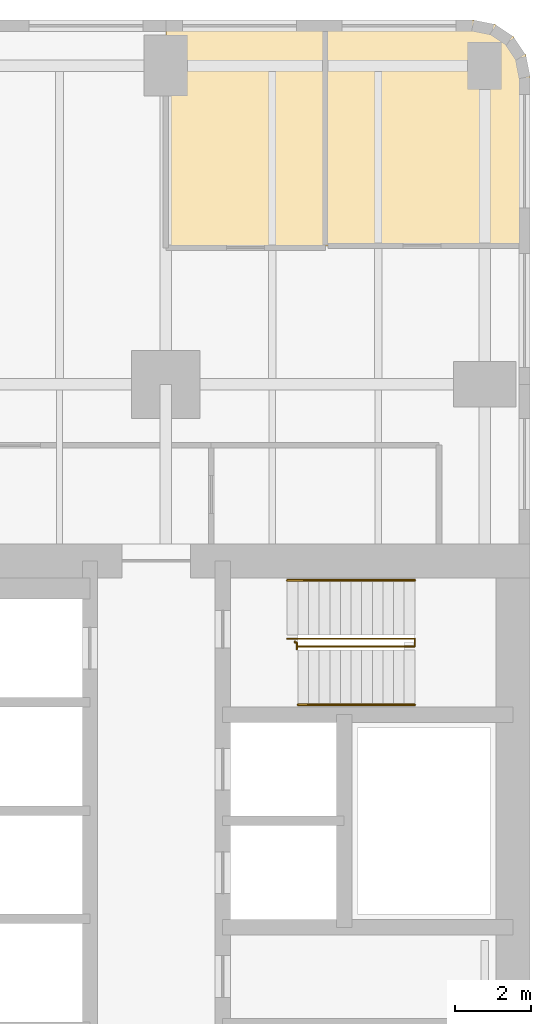
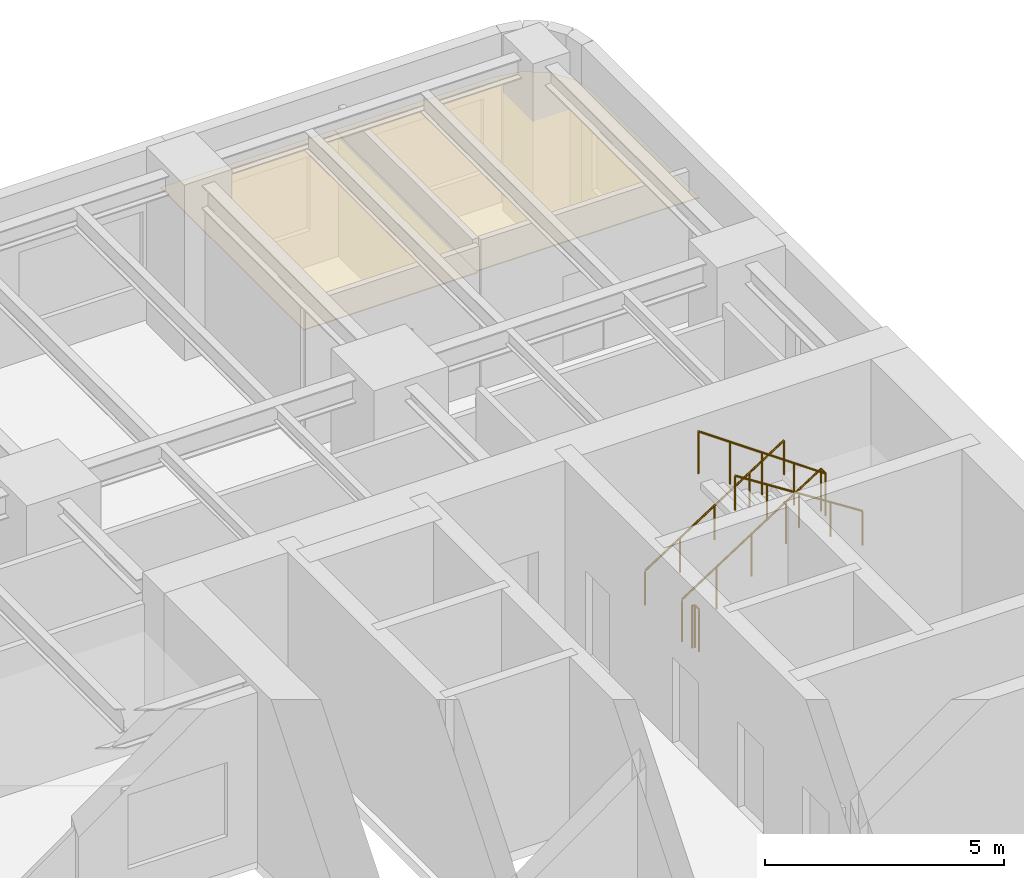
# One storey, part 12 of 12: 4 railings, 2 coverings.
"""IFC4 building model written with IfcOpenShell, lengths in metres."""

from ifc_helpers import new_model, si_unit, direction, frame, origin, origin_2d, place, context, subcontext, project, spatial, polyline, circle, outline, extrude, material, layer, layer_set, type_object, element, save


model = new_model("IFC4")

# Units and contexts
model_context = context("Model", 3, precision=1e-05, world=origin(), true_north=direction((0.0, 1.0)))
body_context = subcontext(model_context, "Body", "Model", "MODEL_VIEW")
ifc_project = project(units=[si_unit("LENGTHUNIT", "METRE"), si_unit("AREAUNIT", "SQUARE_METRE"), si_unit("VOLUMEUNIT", "CUBIC_METRE"), si_unit("PLANEANGLEUNIT", "RADIAN"), si_unit("MASSUNIT", "GRAM", prefix="KILO")], contexts=[model_context])

# Site, building, storey
site_placement = place(None, origin())
site = spatial("IfcSite", under=ifc_project, at=site_placement, CompositionType="ELEMENT")
building_placement = place(site_placement, origin())
building = spatial("IfcBuilding", under=site, at=building_placement, Name="Claustro Exchange Tower", CompositionType="ELEMENT")
storey_placement = place(building_placement, frame((0.0, 0.0, 63.89990234375)))
storey = spatial("IfcBuildingStorey", under=building, at=storey_placement, Name="L14", CompositionType="ELEMENT", Elevation=63.89990234375)

# Coverings
ifc_material_1 = material(Name="Gypsum board ceiling", Category="gypsum board")
ifc_layer = layer(ifc_material_1, 0.02490234375)
ifc_layer_set = layer_set([ifc_layer], Name="Gypsum board ceiling")
covering_type = type_object("IfcCoveringType", Name="CL2 plasterboard ceiling", PredefinedType="CEILING", material=ifc_layer_set)
covering_1_placement = place(storey_placement, frame((0.0, 0.0, 3.0)))
element("IfcCovering", 1, at=covering_1_placement, inside=storey, type_object=covering_type, Name="Ceiling CL2 L14-21", PredefinedType="CEILING", context=body_context, shape_type="SweptSolid", body=[
    extrude(outline(polyline([(46.199951171875, 51.60009765625), (42.0, 51.60009765625), (42.0, 45.60009765625), (46.199951171875, 45.60009765625), (46.199951171875, 51.60009765625)])), origin(), (0.0, 0.0, 1.0), 0.025146484375),
])
covering_2_placement = place(storey_placement, frame((0.0, 0.0, 3.0)))
element("IfcCovering", 2, at=covering_2_placement, inside=storey, type_object=covering_type, Name="Ceiling CL2 L14-22", PredefinedType="CEILING", context=body_context, shape_type="SweptSolid", body=[
    extrude(outline(polyline([(50.10009765625, 51.60009765625), (46.199951171875, 51.60009765625), (46.199951171875, 45.64990234375), (51.60009765625, 45.64990234375), (51.60009765625, 50.10009765625), (51.48583984375, 50.674072265625), (51.16064453125, 51.16064453125), (50.674072265625, 51.48583984375), (50.10009765625, 51.60009765625)])), origin(), (0.0, 0.0, 1.0), 0.025146484375),
])

# Railings
ifc_material_2 = material(Name="Steel balustrade, painted", Category="steel")
railing_type_1 = type_object("IfcRailingType", Name="GR2 1100 steel stair guard", PredefinedType="GUARDRAIL", material=ifc_material_2)
railing_1_placement = place(storey_placement, frame((45.199951171875, 35.300048828125, 0.18017578125)))
element("IfcRailing", 3, at=railing_1_placement, inside=storey, type_object=railing_type_1, Name="Stair well guard GR2 stair STEB L14", PredefinedType="GUARDRAIL", context=body_context, shape_type="SweptSolid", body=[
    extrude(circle(Radius=0.02392578125, at=origin_2d()), frame((0.0, 0.0, 1.076171875), z_axis=(0.84119634759, 0.0, 0.540729789082), x_axis=(0.0, 1.0, 0.0)), (0.0, 0.0, 1.0), 3.994384765625),
    extrude(circle(Radius=0.02392578125, at=origin_2d()), frame((3.360107421875, 0.0, 3.23583984375), z_axis=(0.0, -1.0, 0.0), x_axis=(1.0, 0.0, 0.0)), (0.0, 0.0, 1.0), 0.199951171875),
    extrude(circle(Radius=0.02392578125, at=origin_2d()), frame((3.360107421875, -0.199951171875, 3.23583984375), z_axis=(-0.8187499073, 0.0, 0.574150319426), x_axis=(0.0, -1.0, 0.0)), (0.0, 0.0, 1.0), 3.761962890625),
    extrude(circle(Radius=0.02099609375, at=origin_2d()), origin(), (0.0, 0.0, 1.0), 1.052001953125),
    extrude(circle(Radius=0.02099609375, at=origin_2d()), frame((0.840087890625, 0.0, 0.5400390625)), (0.0, 0.0, 1.0), 1.052001953125),
    extrude(circle(Radius=0.02099609375, at=origin_2d()), frame((1.68017578125, 0.0, 1.080078125)), (0.0, 0.0, 1.0), 1.052001953125),
    extrude(circle(Radius=0.02099609375, at=origin_2d()), frame((2.52001953125, 0.0, 1.619873046875)), (0.0, 0.0, 1.0), 1.052001953125),
    extrude(circle(Radius=0.02099609375, at=origin_2d()), frame((3.360107421875, 0.0, 2.159912109375)), (0.0, 0.0, 1.0), 1.052001953125),
    extrude(circle(Radius=0.02099609375, at=origin_2d()), frame((3.360107421875, -0.199951171875, 2.159912109375)), (0.0, 0.0, 1.0), 1.052001953125),
    extrude(circle(Radius=0.02099609375, at=origin_2d()), frame((2.590087890625, -0.199951171875, 2.699951171875)), (0.0, 0.0, 1.0), 1.052001953125),
    extrude(circle(Radius=0.02099609375, at=origin_2d()), frame((1.820068359375, -0.199951171875, 3.23974609375)), (0.0, 0.0, 1.0), 1.052001953125),
    extrude(circle(Radius=0.02099609375, at=origin_2d()), frame((1.050048828125, -0.199951171875, 3.77978515625)), (0.0, 0.0, 1.0), 1.052001953125),
    extrude(circle(Radius=0.02099609375, at=origin_2d()), frame((0.280029296875, -0.199951171875, 4.31982421875)), (0.0, 0.0, 1.0), 1.052001953125),
])
railing_2_placement = place(storey_placement, frame((45.39990234375, 35.22998046875, 0.0)))
element("IfcRailing", 4, at=railing_2_placement, inside=storey, type_object=railing_type_1, Name="Stair guard GR2 STEB L14", PredefinedType="GUARDRAIL", context=body_context, shape_type="SweptSolid", body=[
    extrude(circle(Radius=0.02392578125, at=origin_2d()), frame((0.0, 0.0, 1.076171875), z_axis=(0.0, -1.0, 0.0), x_axis=(1.0, 0.0, 0.0)), (0.0, 0.0, 1.0), 0.030029296875),
    extrude(circle(Radius=0.02392578125, at=origin_2d()), frame((0.0, -0.030029296875, 1.076171875), z_axis=(1.0, 0.0, 0.0), x_axis=(0.0, 1.0, 0.0)), (0.0, 0.0, 1.0), 0.05517578125),
    extrude(circle(Radius=0.02392578125, at=origin_2d()), frame((0.05517578125, -0.030029296875, 1.076171875), z_axis=(0.0, -1.0, 0.0), x_axis=(1.0, 0.0, 0.0)), (0.0, 0.0, 1.0), 0.179931640625),
    extrude(circle(Radius=0.02099609375, at=origin_2d()), origin(), (0.0, 0.0, 1.0), 1.052001953125),
    extrude(circle(Radius=0.02099609375, at=origin_2d()), frame((0.0, -0.030029296875, 0.0)), (0.0, 0.0, 1.0), 1.052001953125),
    extrude(circle(Radius=0.02099609375, at=origin_2d()), frame((0.05517578125, -0.030029296875, 0.0)), (0.0, 0.0, 1.0), 1.052001953125),
    extrude(circle(Radius=0.02099609375, at=origin_2d()), frame((0.05517578125, -0.2099609375, 0.0)), (0.0, 0.0, 1.0), 1.052001953125),
])
ifc_material_3 = material(Name="Stainless steel tube", Category="steel")
railing_type_2 = type_object("IfcRailingType", Name="HR1 900 stair handrail", PredefinedType="HANDRAIL", material=ifc_material_3)
railing_3_placement = place(storey_placement, frame((45.199951171875, 36.840087890625, 0.18017578125)))
element("IfcRailing", 5, at=railing_3_placement, inside=storey, type_object=railing_type_2, Name="Handrail HR1 stair STEB L14", PredefinedType="HANDRAIL", context=body_context, shape_type="SweptSolid", body=[
    extrude(circle(Radius=0.02392578125, at=origin_2d()), frame((0.0, 0.0, 0.8759765625), z_axis=(0.84119634759, 0.0, 0.540729789082), x_axis=(0.0, 1.0, 0.0)), (0.0, 0.0, 1.0), 3.994384765625),
    extrude(circle(Radius=0.02099609375, at=origin_2d()), origin(), (0.0, 0.0, 1.0), 0.851806640625),
    extrude(circle(Radius=0.02099609375, at=origin_2d()), frame((0.840087890625, 0.0, 0.5400390625)), (0.0, 0.0, 1.0), 0.851806640625),
    extrude(circle(Radius=0.02099609375, at=origin_2d()), frame((1.68017578125, 0.0, 1.080078125)), (0.0, 0.0, 1.0), 0.851806640625),
    extrude(circle(Radius=0.02099609375, at=origin_2d()), frame((2.52001953125, 0.0, 1.619873046875)), (0.0, 0.0, 1.0), 0.851806640625),
    extrude(circle(Radius=0.02099609375, at=origin_2d()), frame((3.360107421875, 0.0, 2.159912109375)), (0.0, 0.0, 1.0), 0.851806640625),
])
railing_4_placement = place(storey_placement, frame((48.56005859375, 33.56005859375, 2.52001953125)))
element("IfcRailing", 6, at=railing_4_placement, inside=storey, type_object=railing_type_2, Name="Handrail HR1 stair STEB L14", PredefinedType="HANDRAIL", context=body_context, shape_type="SweptSolid", body=[
    extrude(circle(Radius=0.02392578125, at=origin_2d()), frame((0.0, 0.0, 0.8759765625), z_axis=(-0.84118714077, 0.0, 0.540744111576), x_axis=(0.0, -1.0, 0.0)), (0.0, 0.0, 1.0), 3.66162109375),
    extrude(circle(Radius=0.02099609375, at=origin_2d()), origin(), (0.0, 0.0, 1.0), 0.851806640625),
    extrude(circle(Radius=0.02099609375, at=origin_2d()), frame((-0.77001953125, 0.0, 0.4951171875)), (0.0, 0.0, 1.0), 0.851806640625),
    extrude(circle(Radius=0.02099609375, at=origin_2d()), frame((-1.5400390625, 0.0, 0.989990234375)), (0.0, 0.0, 1.0), 0.851806640625),
    extrude(circle(Radius=0.02099609375, at=origin_2d()), frame((-2.31005859375, 0.0, 1.48486328125)), (0.0, 0.0, 1.0), 0.851806640625),
    extrude(circle(Radius=0.02099609375, at=origin_2d()), frame((-3.080078125, 0.0, 1.97998046875)), (0.0, 0.0, 1.0), 0.851806640625),
])

save(model, "model.ifc")
